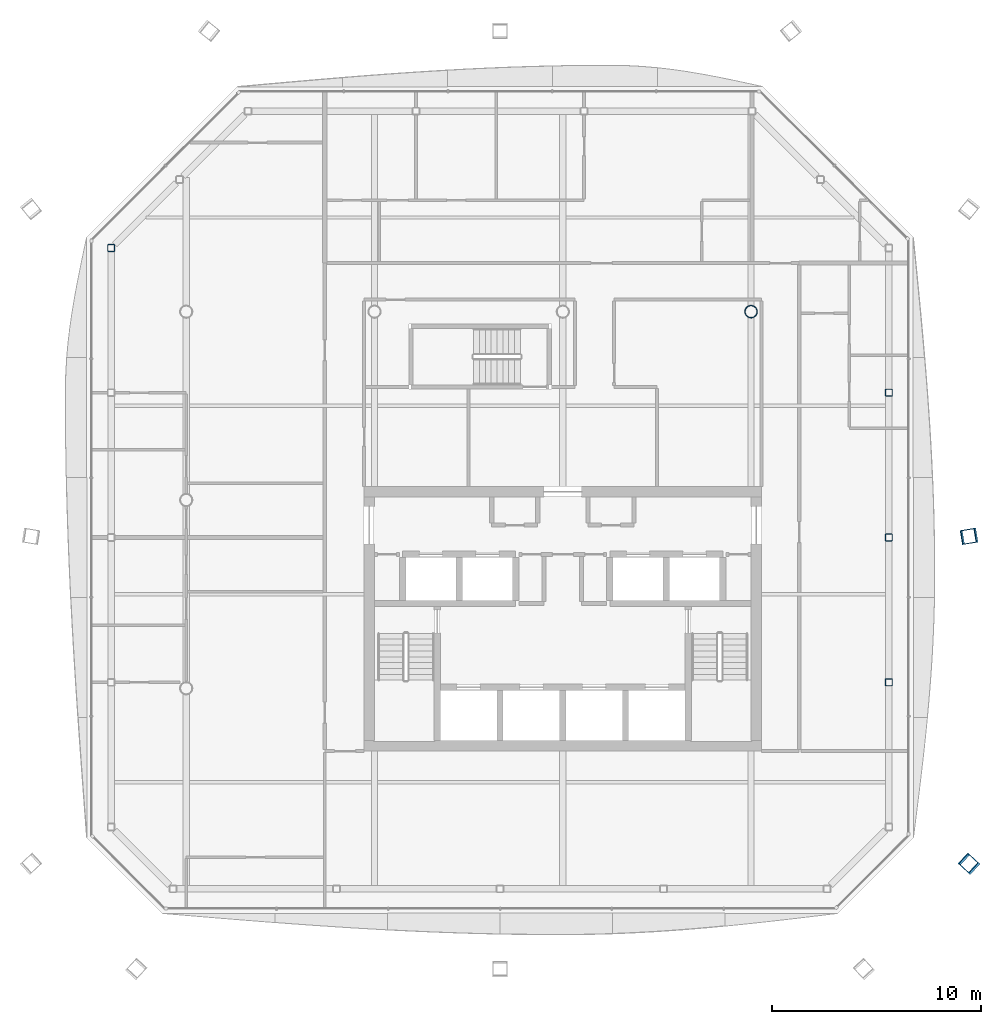
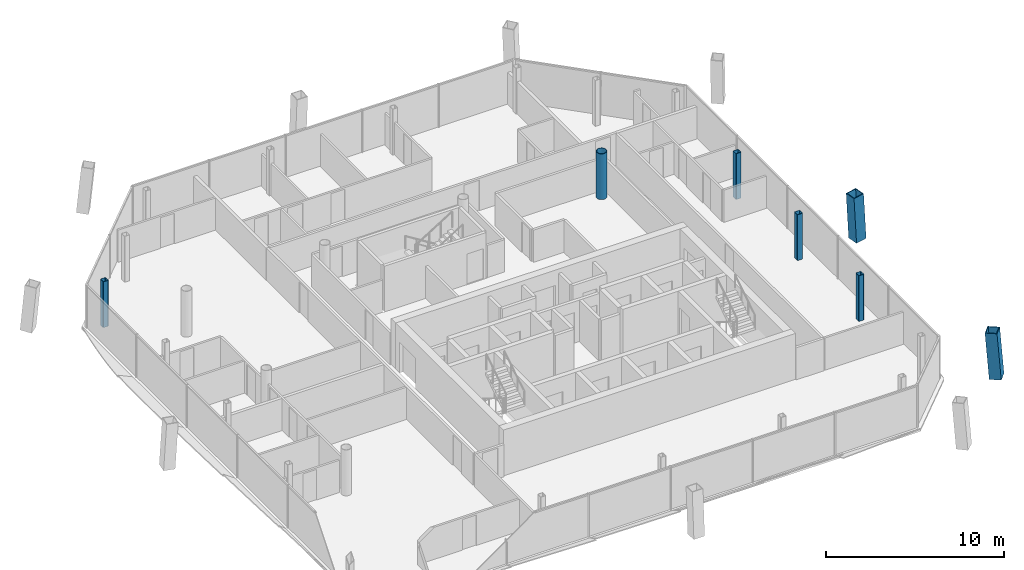
# One storey, part 2 of 19: 7 columns.
"""IFC4 building model written with IfcOpenShell, lengths in metres."""

from ifc_helpers import new_model, si_unit, direction, frame, origin, origin_2d, place, context, subcontext, project, spatial, hollow_rectangle, hollow_circle, extrude, material, material_profile, profile_set, type_object, element, save


model = new_model("IFC4")

# Units and contexts
model_context = context("Model", 3, precision=1e-05, world=origin(), true_north=direction((0.0, 1.0)))
body_context = subcontext(model_context, "Body", "Model", "MODEL_VIEW")
ifc_project = project(units=[si_unit("LENGTHUNIT", "METRE"), si_unit("AREAUNIT", "SQUARE_METRE"), si_unit("VOLUMEUNIT", "CUBIC_METRE"), si_unit("PLANEANGLEUNIT", "RADIAN"), si_unit("MASSUNIT", "GRAM", prefix="KILO")], contexts=[model_context])

# Site, building, storey
site_placement = place(None, origin())
site = spatial("IfcSite", under=ifc_project, at=site_placement, CompositionType="ELEMENT")
building_placement = place(site_placement, origin())
building = spatial("IfcBuilding", under=site, at=building_placement, Name="Tskaro Facet Tower", CompositionType="ELEMENT")
storey_placement = place(building_placement, frame((0.0, 0.0, 203.699951171875)))
storey = spatial("IfcBuildingStorey", under=building, at=storey_placement, Name="L52", CompositionType="ELEMENT", Elevation=203.699951171875)

# Columns
ifc_material_1 = material(Name="Steel S460M", Category="steel")
ifc_material_profile_1 = material_profile(ifc_material_1, hollow_rectangle(XDim=0.699951171875, YDim=0.699951171875, WallThickness=0.044921875, at=origin_2d()), Name="BOX 700x700x45")
ifc_profile_set_1 = profile_set([ifc_material_profile_1], Name="Steel S460M")
column_type_1 = type_object("IfcColumnType", Name="BOX 700x700x45 mega column", PredefinedType="COLUMN", material=ifc_profile_set_1)
column_1_placement = place(storey_placement, frame((19.449951171875, -17.41796875, 0.0), z_axis=(-0.057561953922, 0.052848827493, 0.996942136181), x_axis=(-0.676306475744, -0.736620357353, 0.0)))
element("IfcColumn", 1, at=column_1_placement, inside=storey, type_object=column_type_1, Name="BOX 700x700x45 MC04/4", PredefinedType="COLUMN", context=body_context, shape_type="SweptSolid", body=[
    extrude(hollow_rectangle(XDim=0.699951171875, YDim=0.699951171875, WallThickness=0.044921875, at=origin_2d()), origin(), (0.0, 0.0, 1.0), 3.159912109375),
])
column_2_placement = place(storey_placement, frame((19.449951171875, -1.73388671875, 0.0), z_axis=(-0.057639897771, -0.009516385807, 0.998292081801), x_axis=(0.162895476227, -0.986643331617, 0.0)))
element("IfcColumn", 2, at=column_2_placement, inside=storey, type_object=column_type_1, Name="BOX 700x700x45 MC05/4", PredefinedType="COLUMN", context=body_context, shape_type="SweptSolid", body=[
    extrude(hollow_rectangle(XDim=0.699951171875, YDim=0.699951171875, WallThickness=0.044921875, at=origin_2d()), origin(), (0.0, 0.0, 1.0), 3.155517578125),
])
ifc_material_2 = material(Name="Steel S355J2H", Category="steel")
ifc_material_profile_2 = material_profile(ifc_material_2, hollow_circle(Radius=0.304931640625, WallThickness=0.030029296875, at=origin_2d()), Name="CHS 610x30")
ifc_profile_set_2 = profile_set([ifc_material_profile_2], Name="Steel S355J2H")
column_type_2 = type_object("IfcColumnType", Name="CHS 610x30 interior column", PredefinedType="COLUMN", material=ifc_profile_set_2)
column_3_placement = place(storey_placement, frame((9.0, 9.0, 0.0), z_axis=(0.0, 0.0, 1.0), x_axis=(1.0, 0.0, 0.0)))
element("IfcColumn", 3, at=column_3_placement, inside=storey, type_object=column_type_2, Name="CHS 610x30 C5E/4", PredefinedType="COLUMN", context=body_context, shape_type="SweptSolid", body=[
    extrude(hollow_circle(Radius=0.304931640625, WallThickness=0.030029296875, at=origin_2d()), origin(), (0.0, 0.0, 1.0), 3.150146484375),
])
ifc_material_profile_3 = material_profile(ifc_material_2, hollow_rectangle(XDim=0.35009765625, YDim=0.35009765625, WallThickness=0.02001953125, InnerFilletRadius=0.030029296875, OuterFilletRadius=0.050048828125, at=origin_2d()), Name="SHS 350x350x20")
ifc_profile_set_3 = profile_set([ifc_material_profile_3], Name="Steel S355J2H")
column_type_3 = type_object("IfcColumnType", Name="SHS 350x350x20 ring column", PredefinedType="COLUMN", material=ifc_profile_set_3)
for number, where, z_axis, x_axis, name in (
    (4, (15.5830078125, -8.712890625, 0.0), (0.0, 0.0, 1.0), (1.0, 0.0, 0.0), "SHS 350x350x20 RE-2/4"),
    (5, (15.5830078125, -1.79296875, 0.0), (0.0, 0.0, 1.0), (1.0, 0.0, 0.0), "SHS 350x350x20 RE-3/4"),
    (6, (15.5830078125, 5.1259765625, 0.0), (0.0, 0.0, 1.0), (1.0, 0.0, 0.0), "SHS 350x350x20 RE-4/4"),
    (7, (-21.5830078125, 12.0458984375, 0.0), (0.0, 0.0, 1.0), (1.0, 0.0, 0.0), "SHS 350x350x20 RW-1/4"),
):
    element("IfcColumn", number, at=place(storey_placement, frame(where, z_axis=z_axis, x_axis=x_axis)), inside=storey, type_object=column_type_3, Name=name, PredefinedType="COLUMN", context=body_context, shape_type="SweptSolid", body=[
        extrude(hollow_rectangle(XDim=0.35009765625, YDim=0.35009765625, WallThickness=0.02001953125, InnerFilletRadius=0.030029296875, OuterFilletRadius=0.050048828125, at=origin_2d()), origin(), (0.0, 0.0, 1.0), 3.150146484375),
    ])

save(model, "model.ifc")
